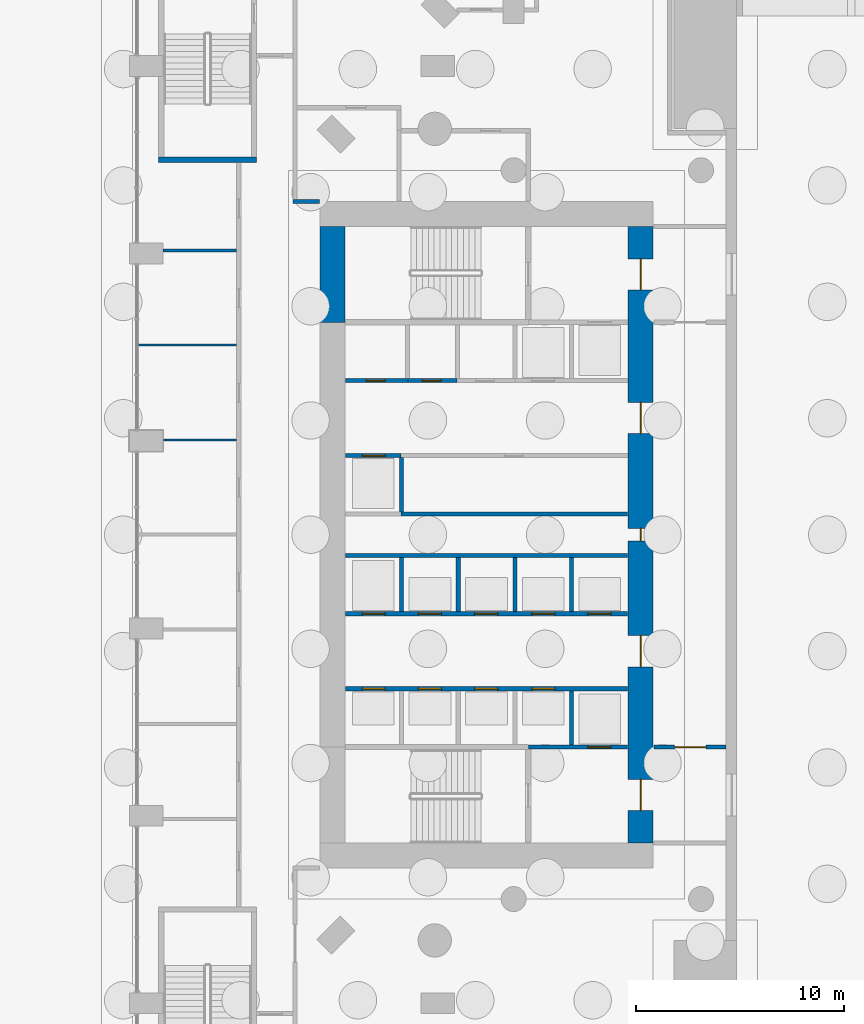
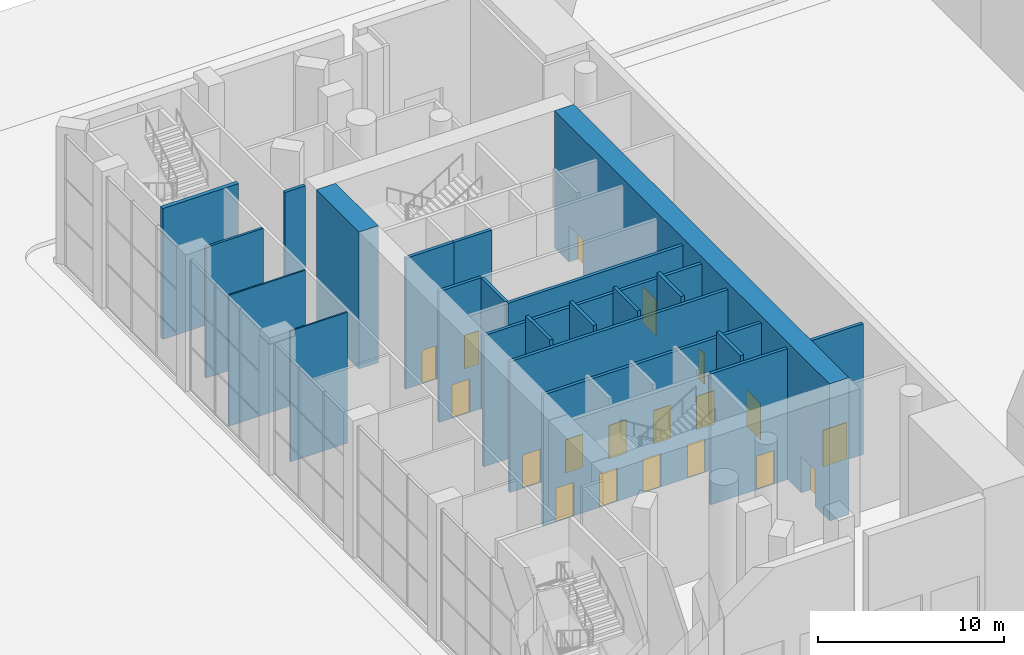
# One storey, part 10 of 25: 22 walls, 19 doors, 19 openings.
"""IFC4 building model written with IfcOpenShell, lengths in metres."""

from ifc_helpers import new_model, si_unit, direction, frame, frame_2d, origin, place, context, subcontext, project, spatial, rectangle, extrude, material, layer, layer_set, type_object, element, fill, save


model = new_model("IFC4")

# Units and contexts
model_context = context("Model", 3, precision=1e-05, world=origin(), true_north=direction((0.0, 1.0)))
body_context = subcontext(model_context, "Body", "Model", "MODEL_VIEW")
ifc_project = project(units=[si_unit("LENGTHUNIT", "METRE"), si_unit("AREAUNIT", "SQUARE_METRE"), si_unit("VOLUMEUNIT", "CUBIC_METRE"), si_unit("PLANEANGLEUNIT", "RADIAN"), si_unit("MASSUNIT", "GRAM", prefix="KILO")], contexts=[model_context])

# Site, building, storey
site_placement = place(None, origin())
site = spatial("IfcSite", under=ifc_project, at=site_placement, CompositionType="ELEMENT")
building_placement = place(site_placement, origin())
building = spatial("IfcBuilding", under=site, at=building_placement, Name="Cypress Arch Tower", CompositionType="ELEMENT")
storey_placement = place(building_placement, origin())
storey = spatial("IfcBuildingStorey", under=building, at=storey_placement, Name="L00", CompositionType="ELEMENT", Elevation=0.0)

# Wall, openings, doors
ifc_material_1 = material(Name="Concrete C80/95", Category="concrete")
ifc_layer_1 = layer(ifc_material_1, 1.199951171875)
ifc_layer_set_1 = layer_set([ifc_layer_1], Name="Core wall CW1200 C80/95")
wall_type_1 = type_object("IfcWallType", Name="Core wall CW1200 C80/95", PredefinedType="SHEAR", material=ifc_layer_set_1)
wall_1_placement = place(storey_placement, frame((-14.60009765625, -14.800048828125, 0.0), z_axis=(0.0, 0.0, 1.0), x_axis=(0.0, 1.0, 0.0)))
wall_1 = element("IfcWall", 1, at=wall_1_placement, inside=storey, type_object=wall_type_1, Name="Core wall", PredefinedType="SHEAR", context=body_context, shape_type="SweptSolid", body=[
    extrude(rectangle(XDim=29.60009765625, YDim=1.199951171875, at=frame_2d((14.800048828125, 0.0))), origin(), (0.0, 0.0, 1.0), 9.0),
])
opening_1_placement = place(wall_1_placement, frame((1.550048828125, 0.0, 0.0)))
opening_1 = element("IfcOpeningElement", 2, at=opening_1_placement, cuts=wall_1, Name="Opening D07", PredefinedType="OPENING", context=body_context, shape_type="SweptSolid", body=[
    extrude(rectangle(XDim=1.5, YDim=2.39990234375, at=frame_2d((0.75, 1.199951171875))), frame((0.0, 0.60986328125, 0.0), z_axis=(0.0, -1.0, 0.0), x_axis=(1.0, 0.0, 0.0)), (0.0, 0.0, 1.0), 1.219970703125),
])
opening_2_placement = place(wall_1_placement, frame((26.550048828125, 0.0, 0.0)))
opening_2 = element("IfcOpeningElement", 3, at=opening_2_placement, cuts=wall_1, Name="Opening D07", PredefinedType="OPENING", context=body_context, shape_type="SweptSolid", body=[
    extrude(rectangle(XDim=1.5, YDim=2.39990234375, at=frame_2d((0.75, 1.199951171875))), frame((0.0, 0.60986328125, 0.0), z_axis=(0.0, -1.0, 0.0), x_axis=(1.0, 0.0, 0.0)), (0.0, 0.0, 1.0), 1.219970703125),
])
opening_3_placement = place(wall_1_placement, frame((8.449951171875, 0.0, 0.0)))
opening_3 = element("IfcOpeningElement", 4, at=opening_3_placement, cuts=wall_1, Name="Opening D07", PredefinedType="OPENING", context=body_context, shape_type="SweptSolid", body=[
    extrude(rectangle(XDim=1.5, YDim=2.39990234375, at=frame_2d((0.75, 1.199951171875))), frame((0.0, 0.60986328125, 0.0), z_axis=(0.0, -1.0, 0.0), x_axis=(1.0, 0.0, 0.0)), (0.0, 0.0, 1.0), 1.219970703125),
])
opening_4_placement = place(wall_1_placement, frame((19.64990234375, 0.0, 0.0)))
opening_4 = element("IfcOpeningElement", 5, at=opening_4_placement, cuts=wall_1, Name="Opening D07", PredefinedType="OPENING", context=body_context, shape_type="SweptSolid", body=[
    extrude(rectangle(XDim=1.5, YDim=2.39990234375, at=frame_2d((0.75, 1.199951171875))), frame((0.0, 0.60986328125, 0.0), z_axis=(0.0, -1.0, 0.0), x_axis=(1.0, 0.0, 0.0)), (0.0, 0.0, 1.0), 1.219970703125),
])
opening_5_placement = place(wall_1_placement, frame((14.5, 0.0, 0.0)))
opening_5 = element("IfcOpeningElement", 6, at=opening_5_placement, cuts=wall_1, Name="Opening D08", PredefinedType="OPENING", context=body_context, shape_type="SweptSolid", body=[
    extrude(rectangle(XDim=0.60009765625, YDim=2.0, at=frame_2d((0.300048828125, 1.0))), frame((0.0, 0.60986328125, 0.0), z_axis=(0.0, -1.0, 0.0), x_axis=(1.0, 0.0, 0.0)), (0.0, 0.0, 1.0), 1.219970703125),
])
ifc_material_2 = material(Name="Steel framed glazed door, fire resisting", Category="steel")
door_type_1 = type_object("IfcDoorType", Name="Lobby door D07 1500x2400", OperationType="DOUBLE_DOOR_SINGLE_SWING", PredefinedType="DOOR", material=ifc_material_2)
door_1_placement = place(opening_1_placement, origin())
door_1 = element("IfcDoor", 7, at=door_1_placement, inside=storey, type_object=door_type_1, Name="Lobby door", OperationType="DOUBLE_DOOR_SINGLE_SWING", OverallHeight=2.39990234375, OverallWidth=1.5, PredefinedType="DOOR", context=body_context, shape_type="SweptSolid", body=[
    extrude(rectangle(XDim=1.5, YDim=2.39990234375, at=frame_2d((0.75, 1.199951171875))), frame((0.0, 0.02490234375, 0.0), z_axis=(0.0, -1.0, 0.0), x_axis=(1.0, 0.0, 0.0)), (0.0, 0.0, 1.0), 0.050048828125),
])
fill(opening_1, door_1)
door_2_placement = place(opening_2_placement, origin())
door_2 = element("IfcDoor", 8, at=door_2_placement, inside=storey, type_object=door_type_1, Name="Lobby door", OperationType="DOUBLE_DOOR_SINGLE_SWING", OverallHeight=2.39990234375, OverallWidth=1.5, PredefinedType="DOOR", context=body_context, shape_type="SweptSolid", body=[
    extrude(rectangle(XDim=1.5, YDim=2.39990234375, at=frame_2d((0.75, 1.199951171875))), frame((0.0, 0.02490234375, 0.0), z_axis=(0.0, -1.0, 0.0), x_axis=(1.0, 0.0, 0.0)), (0.0, 0.0, 1.0), 0.050048828125),
])
fill(opening_2, door_2)
door_3_placement = place(opening_3_placement, origin())
door_3 = element("IfcDoor", 9, at=door_3_placement, inside=storey, type_object=door_type_1, Name="Lobby door", OperationType="DOUBLE_DOOR_SINGLE_SWING", OverallHeight=2.39990234375, OverallWidth=1.5, PredefinedType="DOOR", context=body_context, shape_type="SweptSolid", body=[
    extrude(rectangle(XDim=1.5, YDim=2.39990234375, at=frame_2d((0.75, 1.199951171875))), frame((0.0, 0.02490234375, 0.0), z_axis=(0.0, -1.0, 0.0), x_axis=(1.0, 0.0, 0.0)), (0.0, 0.0, 1.0), 0.050048828125),
])
fill(opening_3, door_3)
door_4_placement = place(opening_4_placement, origin())
door_4 = element("IfcDoor", 10, at=door_4_placement, inside=storey, type_object=door_type_1, Name="Lobby door", OperationType="DOUBLE_DOOR_SINGLE_SWING", OverallHeight=2.39990234375, OverallWidth=1.5, PredefinedType="DOOR", context=body_context, shape_type="SweptSolid", body=[
    extrude(rectangle(XDim=1.5, YDim=2.39990234375, at=frame_2d((0.75, 1.199951171875))), frame((0.0, 0.02490234375, 0.0), z_axis=(0.0, -1.0, 0.0), x_axis=(1.0, 0.0, 0.0)), (0.0, 0.0, 1.0), 0.050048828125),
])
fill(opening_4, door_4)
ifc_material_3 = material(Name="Steel access door, fire resisting", Category="steel")
door_type_2 = type_object("IfcDoorType", Name="Riser access door D08 600x2000", OperationType="SINGLE_SWING_LEFT", PredefinedType="DOOR", material=ifc_material_3)
door_5_placement = place(opening_5_placement, origin())
door_5 = element("IfcDoor", 11, at=door_5_placement, inside=storey, type_object=door_type_2, Name="Riser access door", OperationType="SINGLE_SWING_RIGHT", OverallHeight=2.0, OverallWidth=0.60009765625, PredefinedType="DOOR", context=body_context, shape_type="SweptSolid", body=[
    extrude(rectangle(XDim=0.60009765625, YDim=2.0, at=frame_2d((0.300048828125, 1.0))), frame((0.0, 0.02490234375, 0.0), z_axis=(0.0, -1.0, 0.0), x_axis=(1.0, 0.0, 0.0)), (0.0, 0.0, 1.0), 0.050048828125),
])
fill(opening_5, door_5)

# Walls
wall_2_placement = place(storey_placement, frame((-29.39990234375, 10.199951171875, 0.0), z_axis=(0.0, 0.0, 1.0), x_axis=(0.0, 1.0, 0.0)))
element("IfcWall", 12, at=wall_2_placement, inside=storey, type_object=wall_type_1, Name="Core wall", PredefinedType="SHEAR", context=body_context, shape_type="SweptSolid", body=[
    extrude(rectangle(XDim=4.60009765625, YDim=1.199951171875, at=frame_2d((2.300048828125, 0.0))), origin(), (0.0, 0.0, 1.0), 9.0),
])
ifc_material_4 = material(Name="Concrete blockwork, plastered, rated", Category="masonry")
ifc_layer_2 = layer(ifc_material_4, 0.199951171875)
ifc_layer_set_2 = layer_set([ifc_layer_2], Name="Corridor wall FW200")
wall_type_2 = type_object("IfcWallType", Name="Corridor wall FW200", PredefinedType="PARTITIONING", material=ifc_layer_set_2)
wall_3_placement = place(storey_placement, frame((-31.300048828125, 16.0, 0.0), z_axis=(0.0, 0.0, 1.0), x_axis=(1.0, 0.0, 0.0)))
element("IfcWall", 13, at=wall_3_placement, inside=storey, type_object=wall_type_2, Name="Corridor wall", PredefinedType="PARTITIONING", context=body_context, shape_type="SweptSolid", body=[
    extrude(rectangle(XDim=1.27001953125, YDim=0.199951171875, at=frame_2d((0.635009765625, 0.0))), origin(), (0.0, 0.0, 1.0), 8.597900390625),
])

# Wall, opening, door
wall_4_placement = place(storey_placement, frame((-28.77001953125, 7.39990234375, 0.0), z_axis=(0.0, 0.0, 1.0), x_axis=(1.0, 0.0, 0.0)))
wall_4 = element("IfcWall", 14, at=wall_4_placement, inside=storey, type_object=wall_type_2, Name="Corridor wall", PredefinedType="PARTITIONING", context=body_context, shape_type="SweptSolid", body=[
    extrude(rectangle(XDim=2.989990234375, YDim=0.199951171875, at=frame_2d((1.4951171875, 0.0))), origin(), (0.0, 0.0, 1.0), 8.597900390625),
])
opening_6_placement = place(wall_4_placement, frame((1.0, 0.0, 0.0)))
opening_6 = element("IfcOpeningElement", 15, at=opening_6_placement, cuts=wall_4, Name="Opening D05", PredefinedType="OPENING", context=body_context, shape_type="SweptSolid", body=[
    extrude(rectangle(XDim=0.89990234375, YDim=2.199951171875, at=frame_2d((0.449951171875, 1.10009765625))), frame((0.0, 0.10986328125, 0.0), z_axis=(0.0, -1.0, 0.0), x_axis=(1.0, 0.0, 0.0)), (0.0, 0.0, 1.0), 0.219970703125),
])
ifc_material_5 = material(Name="Timber flush door", Category="wood")
door_type_3 = type_object("IfcDoorType", Name="Service door D05 900x2200", OperationType="SINGLE_SWING_LEFT", PredefinedType="DOOR", material=ifc_material_5)
door_6_placement = place(opening_6_placement, origin())
door_6 = element("IfcDoor", 16, at=door_6_placement, inside=storey, type_object=door_type_3, Name="Service door", OperationType="SINGLE_SWING_RIGHT", OverallHeight=2.199951171875, OverallWidth=0.89990234375, PredefinedType="DOOR", context=body_context, shape_type="SweptSolid", body=[
    extrude(rectangle(XDim=0.89990234375, YDim=2.199951171875, at=frame_2d((0.449951171875, 1.10009765625))), frame((0.0, 0.02490234375, 0.0), z_axis=(0.0, -1.0, 0.0), x_axis=(1.0, 0.0, 0.0)), (0.0, 0.0, 1.0), 0.050048828125),
])
fill(opening_6, door_6)

wall_5_placement = place(storey_placement, frame((-13.969970703125, -10.199951171875, 0.0), z_axis=(0.0, 0.0, 1.0), x_axis=(1.0, 0.0, 0.0)))
wall_5 = element("IfcWall", 17, at=wall_5_placement, inside=storey, type_object=wall_type_2, Name="Corridor wall", PredefinedType="PARTITIONING", context=body_context, shape_type="SweptSolid", body=[
    extrude(rectangle(XDim=3.469970703125, YDim=0.199951171875, at=frame_2d((1.73486328125, 0.0))), origin(), (0.0, 0.0, 1.0), 8.597900390625),
])
opening_7_placement = place(wall_5_placement, frame((1.0, 0.0, 0.0)))
opening_7 = element("IfcOpeningElement", 18, at=opening_7_placement, cuts=wall_5, Name="Opening D07", PredefinedType="OPENING", context=body_context, shape_type="SweptSolid", body=[
    extrude(rectangle(XDim=1.5, YDim=2.39990234375, at=frame_2d((0.75, 1.199951171875))), frame((0.0, 0.10986328125, 0.0), z_axis=(0.0, -1.0, 0.0), x_axis=(1.0, 0.0, 0.0)), (0.0, 0.0, 1.0), 0.219970703125),
])
door_7_placement = place(opening_7_placement, origin())
door_7 = element("IfcDoor", 19, at=door_7_placement, inside=storey, type_object=door_type_1, Name="Lobby door", OperationType="DOUBLE_DOOR_SINGLE_SWING", OverallHeight=2.39990234375, OverallWidth=1.5, PredefinedType="DOOR", context=body_context, shape_type="SweptSolid", body=[
    extrude(rectangle(XDim=1.5, YDim=2.39990234375, at=frame_2d((0.75, 1.199951171875))), frame((0.0, 0.02490234375, 0.0), z_axis=(0.0, -1.0, 0.0), x_axis=(1.0, 0.0, 0.0)), (0.0, 0.0, 1.0), 0.050048828125),
])
fill(opening_7, door_7)

# Walls
ifc_material_6 = material(Name="Blockwork, plastered both sides", Category="masonry")
ifc_layer_3 = layer(ifc_material_6, 0.14990234375)
ifc_layer_set_3 = layer_set([ifc_layer_3], Name="Partition PW150")
wall_type_3 = type_object("IfcWallType", Name="Partition PW150", PredefinedType="PARTITIONING", material=ifc_layer_set_3)
wall_6_placement = place(storey_placement, frame((-37.550048828125, 13.64990234375, 0.0), z_axis=(0.0, 0.0, 1.0), x_axis=(1.0, 0.0, 0.0)))
element("IfcWall", 20, at=wall_6_placement, inside=storey, type_object=wall_type_3, Name="Partition", PredefinedType="PARTITIONING", context=body_context, shape_type="SweptSolid", body=[
    extrude(rectangle(XDim=3.550048828125, YDim=0.14990234375, at=frame_2d((1.77490234375, 0.0))), origin(), (0.0, 0.0, 1.0), 8.597900390625),
])
ifc_material_7 = material(Name="Reinforced blockwork, plastered, rated", Category="masonry")
ifc_layer_4 = layer(ifc_material_7, 0.199951171875)
ifc_layer_set_4 = layer_set([ifc_layer_4], Name="Plant and riser wall PL200")
wall_type_4 = type_object("IfcWallType", Name="Plant and riser wall PL200", PredefinedType="PARTITIONING", material=ifc_layer_set_4)
wall_7_placement = place(storey_placement, frame((-26.10009765625, 1.0, 0.0), z_axis=(0.0, 0.0, 1.0), x_axis=(1.0, 0.0, 0.0)))
element("IfcWall", 21, at=wall_7_placement, inside=storey, type_object=wall_type_4, Name="Plant and riser wall", PredefinedType="PARTITIONING", context=body_context, shape_type="SweptSolid", body=[
    extrude(rectangle(XDim=10.8701171875, YDim=0.199951171875, at=frame_2d((5.43505859375, 0.0))), origin(), (0.0, 0.0, 1.0), 8.597900390625),
])

# Wall, opening, door
wall_8_placement = place(storey_placement, frame((-25.780029296875, 7.39990234375, 0.0), z_axis=(0.0, 0.0, 1.0), x_axis=(1.0, 0.0, 0.0)))
wall_8 = element("IfcWall", 22, at=wall_8_placement, inside=storey, type_object=wall_type_4, Name="Plant and riser wall", PredefinedType="PARTITIONING", context=body_context, shape_type="SweptSolid", body=[
    extrude(rectangle(XDim=2.360107421875, YDim=0.199951171875, at=frame_2d((1.18017578125, 0.0))), origin(), (0.0, 0.0, 1.0), 8.597900390625),
])
opening_8_placement = place(wall_8_placement, frame((0.699951171875, 0.0, 0.0)))
opening_8 = element("IfcOpeningElement", 23, at=opening_8_placement, cuts=wall_8, Name="Opening D05", PredefinedType="OPENING", context=body_context, shape_type="SweptSolid", body=[
    extrude(rectangle(XDim=0.89990234375, YDim=2.199951171875, at=frame_2d((0.449951171875, 1.10009765625))), frame((0.0, 0.10986328125, 0.0), z_axis=(0.0, -1.0, 0.0), x_axis=(1.0, 0.0, 0.0)), (0.0, 0.0, 1.0), 0.219970703125),
])
door_8_placement = place(opening_8_placement, origin())
door_8 = element("IfcDoor", 24, at=door_8_placement, inside=storey, type_object=door_type_3, Name="Service door", OperationType="SINGLE_SWING_LEFT", OverallHeight=2.199951171875, OverallWidth=0.89990234375, PredefinedType="DOOR", context=body_context, shape_type="SweptSolid", body=[
    extrude(rectangle(XDim=0.89990234375, YDim=2.199951171875, at=frame_2d((0.449951171875, 1.10009765625))), frame((0.0, 0.02490234375, 0.0), z_axis=(0.0, -1.0, 0.0), x_axis=(1.0, 0.0, 0.0)), (0.0, 0.0, 1.0), 0.050048828125),
])
fill(opening_8, door_8)

# Wall, openings, doors
ifc_material_8 = material(Name="Concrete C50/60", Category="concrete")
ifc_layer_5 = layer(ifc_material_8, 0.199951171875)
ifc_layer_set_5 = layer_set([ifc_layer_5], Name="Shaft wall SH200")
wall_type_5 = type_object("IfcWallType", Name="Shaft wall SH200", PredefinedType="SHEAR", material=ifc_layer_set_5)
wall_9_placement = place(storey_placement, frame((-28.77001953125, -7.39990234375, 0.0), z_axis=(0.0, 0.0, 1.0), x_axis=(1.0, 0.0, 0.0)))
wall_9 = element("IfcWall", 25, at=wall_9_placement, inside=storey, type_object=wall_type_5, Name="Shaft wall", PredefinedType="SHEAR", context=body_context, shape_type="SweptSolid", body=[
    extrude(rectangle(XDim=13.5400390625, YDim=0.199951171875, at=frame_2d((6.77001953125, 0.0))), origin(), (0.0, 0.0, 1.0), 8.597900390625),
])
opening_9_placement = place(wall_9_placement, frame((0.800048828125, 0.0, 0.0)))
opening_9 = element("IfcOpeningElement", 26, at=opening_9_placement, cuts=wall_9, Name="Opening LD-LR1", PredefinedType="OPENING", context=body_context, shape_type="SweptSolid", body=[
    extrude(rectangle(XDim=1.10009765625, YDim=2.199951171875, at=frame_2d((0.550048828125, 1.10009765625))), frame((0.0, 0.10986328125, 0.0), z_axis=(0.0, -1.0, 0.0), x_axis=(1.0, 0.0, 0.0)), (0.0, 0.0, 1.0), 0.219970703125),
])
opening_10_placement = place(wall_9_placement, frame((3.5, 0.0, 0.0)))
opening_10 = element("IfcOpeningElement", 27, at=opening_10_placement, cuts=wall_9, Name="Opening LD-LR2", PredefinedType="OPENING", context=body_context, shape_type="SweptSolid", body=[
    extrude(rectangle(XDim=1.10009765625, YDim=2.199951171875, at=frame_2d((0.550048828125, 1.10009765625))), frame((0.0, 0.10986328125, 0.0), z_axis=(0.0, -1.0, 0.0), x_axis=(1.0, 0.0, 0.0)), (0.0, 0.0, 1.0), 0.219970703125),
])
opening_11_placement = place(wall_9_placement, frame((6.199951171875, 0.0, 0.0)))
opening_11 = element("IfcOpeningElement", 28, at=opening_11_placement, cuts=wall_9, Name="Opening LD-LR3", PredefinedType="OPENING", context=body_context, shape_type="SweptSolid", body=[
    extrude(rectangle(XDim=1.10009765625, YDim=2.199951171875, at=frame_2d((0.550048828125, 1.10009765625))), frame((0.0, 0.10986328125, 0.0), z_axis=(0.0, -1.0, 0.0), x_axis=(1.0, 0.0, 0.0)), (0.0, 0.0, 1.0), 0.219970703125),
])
opening_12_placement = place(wall_9_placement, frame((8.949951171875, 0.0, 0.0)))
opening_12 = element("IfcOpeningElement", 29, at=opening_12_placement, cuts=wall_9, Name="Opening LD-LR4", PredefinedType="OPENING", context=body_context, shape_type="SweptSolid", body=[
    extrude(rectangle(XDim=1.10009765625, YDim=2.199951171875, at=frame_2d((0.550048828125, 1.10009765625))), frame((0.0, 0.10986328125, 0.0), z_axis=(0.0, -1.0, 0.0), x_axis=(1.0, 0.0, 0.0)), (0.0, 0.0, 1.0), 0.219970703125),
])
ifc_material_9 = material(Name="Stainless steel centre-opening landing door, rated", Category="steel")
door_type_4 = type_object("IfcDoorType", Name="Lift landing door LD 1100x2200", OperationType="DOUBLE_DOOR_SLIDING", PredefinedType="DOOR", material=ifc_material_9)
door_9_placement = place(opening_9_placement, origin())
door_9 = element("IfcDoor", 30, at=door_9_placement, inside=storey, type_object=door_type_4, Name="Lift landing doors LR1", OperationType="DOUBLE_DOOR_SLIDING", OverallHeight=2.199951171875, OverallWidth=1.10009765625, PredefinedType="DOOR", context=body_context, shape_type="SweptSolid", body=[
    extrude(rectangle(XDim=1.10009765625, YDim=2.199951171875, at=frame_2d((0.550048828125, 1.10009765625))), frame((0.0, 0.02490234375, 0.0), z_axis=(0.0, -1.0, 0.0), x_axis=(1.0, 0.0, 0.0)), (0.0, 0.0, 1.0), 0.050048828125),
])
fill(opening_9, door_9)
door_10_placement = place(opening_10_placement, origin())
door_10 = element("IfcDoor", 31, at=door_10_placement, inside=storey, type_object=door_type_4, Name="Lift landing doors LR2", OperationType="DOUBLE_DOOR_SLIDING", OverallHeight=2.199951171875, OverallWidth=1.10009765625, PredefinedType="DOOR", context=body_context, shape_type="SweptSolid", body=[
    extrude(rectangle(XDim=1.10009765625, YDim=2.199951171875, at=frame_2d((0.550048828125, 1.10009765625))), frame((0.0, 0.02490234375, 0.0), z_axis=(0.0, -1.0, 0.0), x_axis=(1.0, 0.0, 0.0)), (0.0, 0.0, 1.0), 0.050048828125),
])
fill(opening_10, door_10)
door_11_placement = place(opening_11_placement, origin())
door_11 = element("IfcDoor", 32, at=door_11_placement, inside=storey, type_object=door_type_4, Name="Lift landing doors LR3", OperationType="DOUBLE_DOOR_SLIDING", OverallHeight=2.199951171875, OverallWidth=1.10009765625, PredefinedType="DOOR", context=body_context, shape_type="SweptSolid", body=[
    extrude(rectangle(XDim=1.10009765625, YDim=2.199951171875, at=frame_2d((0.550048828125, 1.10009765625))), frame((0.0, 0.02490234375, 0.0), z_axis=(0.0, -1.0, 0.0), x_axis=(1.0, 0.0, 0.0)), (0.0, 0.0, 1.0), 0.050048828125),
])
fill(opening_11, door_11)
door_12_placement = place(opening_12_placement, origin())
door_12 = element("IfcDoor", 33, at=door_12_placement, inside=storey, type_object=door_type_4, Name="Lift landing doors LR4", OperationType="DOUBLE_DOOR_SLIDING", OverallHeight=2.199951171875, OverallWidth=1.10009765625, PredefinedType="DOOR", context=body_context, shape_type="SweptSolid", body=[
    extrude(rectangle(XDim=1.10009765625, YDim=2.199951171875, at=frame_2d((0.550048828125, 1.10009765625))), frame((0.0, 0.02490234375, 0.0), z_axis=(0.0, -1.0, 0.0), x_axis=(1.0, 0.0, 0.0)), (0.0, 0.0, 1.0), 0.050048828125),
])
fill(opening_12, door_12)

wall_10_placement = place(storey_placement, frame((-28.77001953125, -3.800048828125, 0.0), z_axis=(0.0, 0.0, 1.0), x_axis=(1.0, 0.0, 0.0)))
wall_10 = element("IfcWall", 34, at=wall_10_placement, inside=storey, type_object=wall_type_5, Name="Shaft wall", PredefinedType="SHEAR", context=body_context, shape_type="SweptSolid", body=[
    extrude(rectangle(XDim=13.5400390625, YDim=0.199951171875, at=frame_2d((6.77001953125, 0.0))), origin(), (0.0, 0.0, 1.0), 8.597900390625),
])
opening_13_placement = place(wall_10_placement, frame((0.800048828125, 0.0, 0.0)))
opening_13 = element("IfcOpeningElement", 35, at=opening_13_placement, cuts=wall_10, Name="Opening LD-SH1", PredefinedType="OPENING", context=body_context, shape_type="SweptSolid", body=[
    extrude(rectangle(XDim=1.10009765625, YDim=2.199951171875, at=frame_2d((0.550048828125, 1.10009765625))), frame((0.0, 0.10986328125, 0.0), z_axis=(0.0, -1.0, 0.0), x_axis=(1.0, 0.0, 0.0)), (0.0, 0.0, 1.0), 0.219970703125),
])
opening_14_placement = place(wall_10_placement, frame((3.5, 0.0, 0.0)))
opening_14 = element("IfcOpeningElement", 36, at=opening_14_placement, cuts=wall_10, Name="Opening LD-LR5", PredefinedType="OPENING", context=body_context, shape_type="SweptSolid", body=[
    extrude(rectangle(XDim=1.10009765625, YDim=2.199951171875, at=frame_2d((0.550048828125, 1.10009765625))), frame((0.0, 0.10986328125, 0.0), z_axis=(0.0, -1.0, 0.0), x_axis=(1.0, 0.0, 0.0)), (0.0, 0.0, 1.0), 0.219970703125),
])
opening_15_placement = place(wall_10_placement, frame((6.199951171875, 0.0, 0.0)))
opening_15 = element("IfcOpeningElement", 37, at=opening_15_placement, cuts=wall_10, Name="Opening LD-LR6", PredefinedType="OPENING", context=body_context, shape_type="SweptSolid", body=[
    extrude(rectangle(XDim=1.10009765625, YDim=2.199951171875, at=frame_2d((0.550048828125, 1.10009765625))), frame((0.0, 0.10986328125, 0.0), z_axis=(0.0, -1.0, 0.0), x_axis=(1.0, 0.0, 0.0)), (0.0, 0.0, 1.0), 0.219970703125),
])
opening_16_placement = place(wall_10_placement, frame((8.949951171875, 0.0, 0.0)))
opening_16 = element("IfcOpeningElement", 38, at=opening_16_placement, cuts=wall_10, Name="Opening LD-LR7", PredefinedType="OPENING", context=body_context, shape_type="SweptSolid", body=[
    extrude(rectangle(XDim=1.10009765625, YDim=2.199951171875, at=frame_2d((0.550048828125, 1.10009765625))), frame((0.0, 0.10986328125, 0.0), z_axis=(0.0, -1.0, 0.0), x_axis=(1.0, 0.0, 0.0)), (0.0, 0.0, 1.0), 0.219970703125),
])
opening_17_placement = place(wall_10_placement, frame((11.64990234375, 0.0, 0.0)))
opening_17 = element("IfcOpeningElement", 39, at=opening_17_placement, cuts=wall_10, Name="Opening LD-LR8", PredefinedType="OPENING", context=body_context, shape_type="SweptSolid", body=[
    extrude(rectangle(XDim=1.10009765625, YDim=2.199951171875, at=frame_2d((0.550048828125, 1.10009765625))), frame((0.0, 0.10986328125, 0.0), z_axis=(0.0, -1.0, 0.0), x_axis=(1.0, 0.0, 0.0)), (0.0, 0.0, 1.0), 0.219970703125),
])
door_13_placement = place(opening_13_placement, origin())
door_13 = element("IfcDoor", 40, at=door_13_placement, inside=storey, type_object=door_type_4, Name="Lift landing doors SH1", OperationType="DOUBLE_DOOR_SLIDING", OverallHeight=2.199951171875, OverallWidth=1.10009765625, PredefinedType="DOOR", context=body_context, shape_type="SweptSolid", body=[
    extrude(rectangle(XDim=1.10009765625, YDim=2.199951171875, at=frame_2d((0.550048828125, 1.10009765625))), frame((0.0, 0.02490234375, 0.0), z_axis=(0.0, -1.0, 0.0), x_axis=(1.0, 0.0, 0.0)), (0.0, 0.0, 1.0), 0.050048828125),
])
fill(opening_13, door_13)
door_14_placement = place(opening_14_placement, origin())
door_14 = element("IfcDoor", 41, at=door_14_placement, inside=storey, type_object=door_type_4, Name="Lift landing doors LR5", OperationType="DOUBLE_DOOR_SLIDING", OverallHeight=2.199951171875, OverallWidth=1.10009765625, PredefinedType="DOOR", context=body_context, shape_type="SweptSolid", body=[
    extrude(rectangle(XDim=1.10009765625, YDim=2.199951171875, at=frame_2d((0.550048828125, 1.10009765625))), frame((0.0, 0.02490234375, 0.0), z_axis=(0.0, -1.0, 0.0), x_axis=(1.0, 0.0, 0.0)), (0.0, 0.0, 1.0), 0.050048828125),
])
fill(opening_14, door_14)
door_15_placement = place(opening_15_placement, origin())
door_15 = element("IfcDoor", 42, at=door_15_placement, inside=storey, type_object=door_type_4, Name="Lift landing doors LR6", OperationType="DOUBLE_DOOR_SLIDING", OverallHeight=2.199951171875, OverallWidth=1.10009765625, PredefinedType="DOOR", context=body_context, shape_type="SweptSolid", body=[
    extrude(rectangle(XDim=1.10009765625, YDim=2.199951171875, at=frame_2d((0.550048828125, 1.10009765625))), frame((0.0, 0.02490234375, 0.0), z_axis=(0.0, -1.0, 0.0), x_axis=(1.0, 0.0, 0.0)), (0.0, 0.0, 1.0), 0.050048828125),
])
fill(opening_15, door_15)
door_16_placement = place(opening_16_placement, origin())
door_16 = element("IfcDoor", 43, at=door_16_placement, inside=storey, type_object=door_type_4, Name="Lift landing doors LR7", OperationType="DOUBLE_DOOR_SLIDING", OverallHeight=2.199951171875, OverallWidth=1.10009765625, PredefinedType="DOOR", context=body_context, shape_type="SweptSolid", body=[
    extrude(rectangle(XDim=1.10009765625, YDim=2.199951171875, at=frame_2d((0.550048828125, 1.10009765625))), frame((0.0, 0.02490234375, 0.0), z_axis=(0.0, -1.0, 0.0), x_axis=(1.0, 0.0, 0.0)), (0.0, 0.0, 1.0), 0.050048828125),
])
fill(opening_16, door_16)
door_17_placement = place(opening_17_placement, origin())
door_17 = element("IfcDoor", 44, at=door_17_placement, inside=storey, type_object=door_type_4, Name="Lift landing doors LR8", OperationType="DOUBLE_DOOR_SLIDING", OverallHeight=2.199951171875, OverallWidth=1.10009765625, PredefinedType="DOOR", context=body_context, shape_type="SweptSolid", body=[
    extrude(rectangle(XDim=1.10009765625, YDim=2.199951171875, at=frame_2d((0.550048828125, 1.10009765625))), frame((0.0, 0.02490234375, 0.0), z_axis=(0.0, -1.0, 0.0), x_axis=(1.0, 0.0, 0.0)), (0.0, 0.0, 1.0), 0.050048828125),
])
fill(opening_17, door_17)

# Wall
wall_11_placement = place(storey_placement, frame((-28.77001953125, -1.0, 0.0), z_axis=(0.0, 0.0, 1.0), x_axis=(1.0, 0.0, 0.0)))
element("IfcWall", 45, at=wall_11_placement, inside=storey, type_object=wall_type_5, Name="Shaft wall", PredefinedType="SHEAR", context=body_context, shape_type="SweptSolid", body=[
    extrude(rectangle(XDim=13.5400390625, YDim=0.199951171875, at=frame_2d((6.77001953125, 0.0))), origin(), (0.0, 0.0, 1.0), 8.597900390625),
])

# Wall, opening, door
wall_12_placement = place(storey_placement, frame((-28.77001953125, 3.800048828125, 0.0), z_axis=(0.0, 0.0, 1.0), x_axis=(1.0, 0.0, 0.0)))
wall_12 = element("IfcWall", 46, at=wall_12_placement, inside=storey, type_object=wall_type_5, Name="Shaft wall", PredefinedType="SHEAR", context=body_context, shape_type="SweptSolid", body=[
    extrude(rectangle(XDim=2.669921875, YDim=0.199951171875, at=frame_2d((1.3349609375, 0.0))), origin(), (0.0, 0.0, 1.0), 8.597900390625),
])
opening_18_placement = place(wall_12_placement, frame((0.800048828125, 0.0, 0.0)))
opening_18 = element("IfcOpeningElement", 47, at=opening_18_placement, cuts=wall_12, Name="Opening LD-SH2", PredefinedType="OPENING", context=body_context, shape_type="SweptSolid", body=[
    extrude(rectangle(XDim=1.10009765625, YDim=2.199951171875, at=frame_2d((0.550048828125, 1.10009765625))), frame((0.0, 0.10986328125, 0.0), z_axis=(0.0, -1.0, 0.0), x_axis=(1.0, 0.0, 0.0)), (0.0, 0.0, 1.0), 0.219970703125),
])
door_18_placement = place(opening_18_placement, origin())
door_18 = element("IfcDoor", 48, at=door_18_placement, inside=storey, type_object=door_type_4, Name="Lift landing doors SH2", OperationType="DOUBLE_DOOR_SLIDING", OverallHeight=2.199951171875, OverallWidth=1.10009765625, PredefinedType="DOOR", context=body_context, shape_type="SweptSolid", body=[
    extrude(rectangle(XDim=1.10009765625, YDim=2.199951171875, at=frame_2d((0.550048828125, 1.10009765625))), frame((0.0, 0.02490234375, 0.0), z_axis=(0.0, -1.0, 0.0), x_axis=(1.0, 0.0, 0.0)), (0.0, 0.0, 1.0), 0.050048828125),
])
fill(opening_18, door_18)

# Walls
wall_13_placement = place(storey_placement, frame((-26.080078125, -3.699951171875, 0.0), z_axis=(0.0, 0.0, 1.0), x_axis=(0.0, 1.0, 0.0)))
element("IfcWall", 49, at=wall_13_placement, inside=storey, type_object=wall_type_5, Name="Shaft wall", PredefinedType="SHEAR", context=body_context, shape_type="SweptSolid", body=[
    extrude(rectangle(XDim=2.599853515625, YDim=0.199951171875, at=frame_2d((1.2998046875, 0.0))), origin(), (0.0, 0.0, 1.0), 9.0),
])
wall_14_placement = place(storey_placement, frame((-26.080078125, 1.10009765625, 0.0), z_axis=(0.0, 0.0, 1.0), x_axis=(0.0, 1.0, 0.0)))
element("IfcWall", 50, at=wall_14_placement, inside=storey, type_object=wall_type_5, Name="Shaft wall", PredefinedType="SHEAR", context=body_context, shape_type="SweptSolid", body=[
    extrude(rectangle(XDim=2.599853515625, YDim=0.199951171875, at=frame_2d((1.2998046875, 0.0))), origin(), (0.0, 0.0, 1.0), 8.597900390625),
])
for number, where, z_axis, x_axis, name in (
    (51, (-23.360107421875, -3.699951171875, 0.0), (0.0, 0.0, 1.0), (0.0, 1.0, 0.0), "Shaft wall"),
    (52, (-20.639892578125, -3.699951171875, 0.0), (0.0, 0.0, 1.0), (0.0, 1.0, 0.0), "Shaft wall"),
):
    element("IfcWall", number, at=place(storey_placement, frame(where, z_axis=z_axis, x_axis=x_axis)), inside=storey, type_object=wall_type_5, Name=name, PredefinedType="SHEAR", context=body_context, shape_type="SweptSolid", body=[
        extrude(rectangle(XDim=2.599853515625, YDim=0.199951171875, at=frame_2d((1.2998046875, 0.0))), origin(), (0.0, 0.0, 1.0), 9.0),
    ])

# Wall, opening, door
wall_15_placement = place(storey_placement, frame((-19.97998046875, -10.199951171875, 0.0), z_axis=(0.0, 0.0, 1.0), x_axis=(1.0, 0.0, 0.0)))
wall_15 = element("IfcWall", 53, at=wall_15_placement, inside=storey, type_object=wall_type_5, Name="Shaft wall", PredefinedType="SHEAR", context=body_context, shape_type="SweptSolid", body=[
    extrude(rectangle(XDim=4.75, YDim=0.199951171875, at=frame_2d((2.375, 0.0))), origin(), (0.0, 0.0, 1.0), 8.597900390625),
])
opening_19_placement = place(wall_15_placement, frame((2.85009765625, 0.0, 0.0)))
opening_19 = element("IfcOpeningElement", 54, at=opening_19_placement, cuts=wall_15, Name="Opening LD-FL1", PredefinedType="OPENING", context=body_context, shape_type="SweptSolid", body=[
    extrude(rectangle(XDim=1.10009765625, YDim=2.199951171875, at=frame_2d((0.550048828125, 1.10009765625))), frame((0.0, 0.10986328125, 0.0), z_axis=(0.0, -1.0, 0.0), x_axis=(1.0, 0.0, 0.0)), (0.0, 0.0, 1.0), 0.219970703125),
])
door_19_placement = place(opening_19_placement, origin())
door_19 = element("IfcDoor", 55, at=door_19_placement, inside=storey, type_object=door_type_4, Name="Lift landing doors FL1", OperationType="DOUBLE_DOOR_SLIDING", OverallHeight=2.199951171875, OverallWidth=1.10009765625, PredefinedType="DOOR", context=body_context, shape_type="SweptSolid", body=[
    extrude(rectangle(XDim=1.10009765625, YDim=2.199951171875, at=frame_2d((0.550048828125, 1.10009765625))), frame((0.0, 0.02490234375, 0.0), z_axis=(0.0, -1.0, 0.0), x_axis=(1.0, 0.0, 0.0)), (0.0, 0.0, 1.0), 0.050048828125),
])
fill(opening_19, door_19)

# Walls
wall_16_placement = place(storey_placement, frame((-17.919921875, -10.10009765625, 0.0), z_axis=(0.0, 0.0, 1.0), x_axis=(0.0, 1.0, 0.0)))
element("IfcWall", 56, at=wall_16_placement, inside=storey, type_object=wall_type_5, Name="Shaft wall", PredefinedType="SHEAR", context=body_context, shape_type="SweptSolid", body=[
    extrude(rectangle(XDim=2.60009765625, YDim=0.199951171875, at=frame_2d((1.300048828125, 0.0))), origin(), (0.0, 0.0, 1.0), 9.0),
])
wall_17_placement = place(storey_placement, frame((-17.919921875, -3.699951171875, 0.0), z_axis=(0.0, 0.0, 1.0), x_axis=(0.0, 1.0, 0.0)))
element("IfcWall", 57, at=wall_17_placement, inside=storey, type_object=wall_type_5, Name="Shaft wall", PredefinedType="SHEAR", context=body_context, shape_type="SweptSolid", body=[
    extrude(rectangle(XDim=2.599853515625, YDim=0.199951171875, at=frame_2d((1.2998046875, 0.0))), origin(), (0.0, 0.0, 1.0), 9.0),
])
ifc_material_10 = material(Name="Concrete C50/60", Category="concrete")
ifc_layer_6 = layer(ifc_material_10, 0.25)
ifc_layer_set_6 = layer_set([ifc_layer_6], Name="Stair enclosure wall SW250")
wall_type_6 = type_object("IfcWallType", Name="Stair enclosure wall SW250", PredefinedType="SHEAR", material=ifc_layer_set_6)
wall_18_placement = place(storey_placement, frame((-37.75, 18.0048828125, 0.0), z_axis=(0.0, 0.0, 1.0), x_axis=(1.0, 0.0, 0.0)))
element("IfcWall", 58, at=wall_18_placement, inside=storey, type_object=wall_type_6, Name="Stair enclosure wall", PredefinedType="SHEAR", context=body_context, shape_type="SweptSolid", body=[
    extrude(rectangle(XDim=4.699951171875, YDim=0.25, at=frame_2d((2.35009765625, 0.0))), origin(), (0.0, 0.0, 1.0), 8.60009765625),
])
ifc_material_11 = material(Name="Moisture resistant board on steel studs, tiled", Category="steel")
ifc_layer_7 = layer(ifc_material_11, 0.10009765625)
ifc_layer_set_7 = layer_set([ifc_layer_7], Name="Wet wall PW100")
wall_type_7 = type_object("IfcWallType", Name="Wet wall PW100", PredefinedType="PARTITIONING", material=ifc_layer_set_7)
wall_19_placement = place(storey_placement, frame((-37.550048828125, 4.550048828125, 0.0), z_axis=(0.0, 0.0, 1.0), x_axis=(1.0, 0.0, 0.0)))
element("IfcWall", 59, at=wall_19_placement, inside=storey, type_object=wall_type_7, Name="Wet wall", PredefinedType="PARTITIONING", context=body_context, shape_type="SweptSolid", body=[
    extrude(rectangle(XDim=3.550048828125, YDim=0.10009765625, at=frame_2d((1.77490234375, 0.0))), origin(), (0.0, 0.0, 1.0), 8.597900390625),
])
wall_20_placement = place(storey_placement, frame((-38.7548828125, 9.10009765625, 0.0), z_axis=(0.0, 0.0, 1.0), x_axis=(1.0, 0.0, 0.0)))
element("IfcWall", 60, at=wall_20_placement, inside=storey, type_object=wall_type_7, Name="Wet wall", PredefinedType="PARTITIONING", context=body_context, shape_type="SweptSolid", body=[
    extrude(rectangle(XDim=4.7548828125, YDim=0.10009765625, at=frame_2d((2.37744140625, 0.0))), origin(), (0.0, 0.0, 1.0), 8.597900390625),
])

save(model, "model.ifc")
